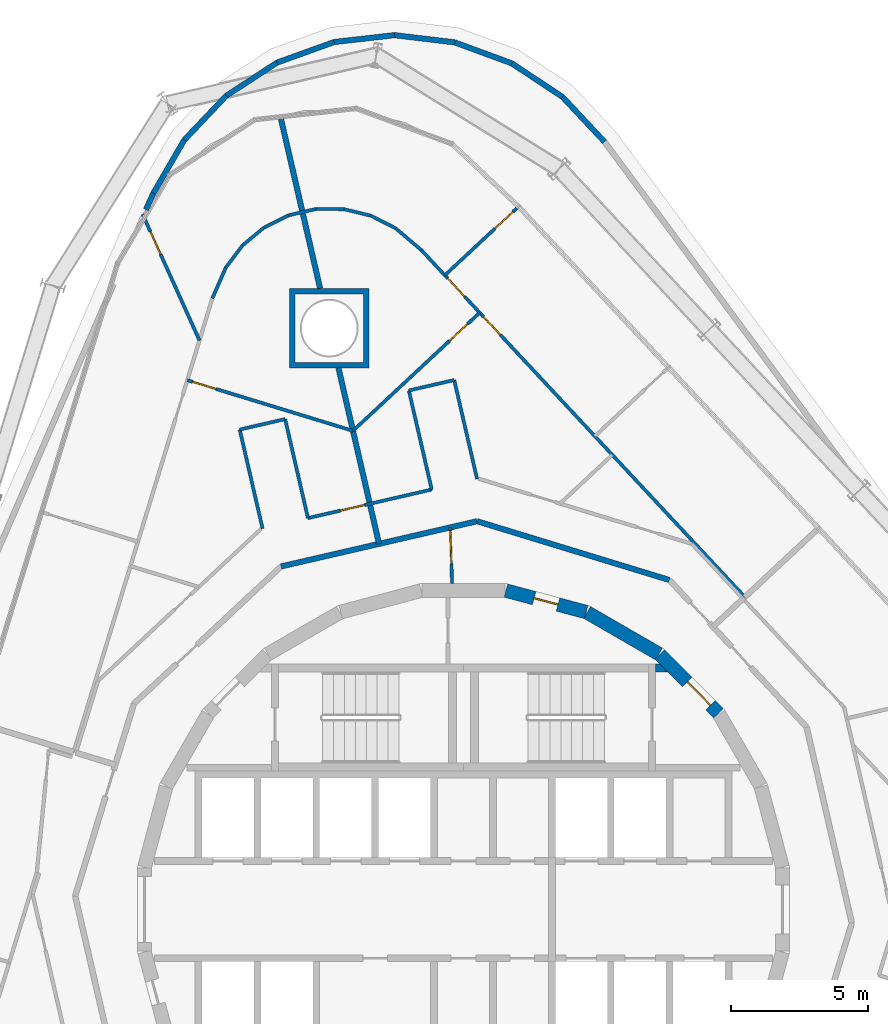
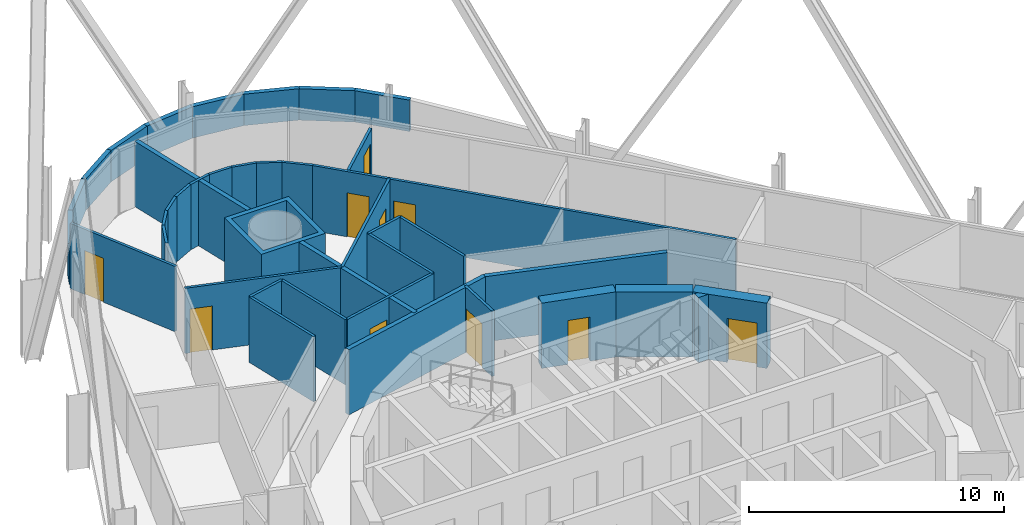
# One storey, part 16 of 18: 41 walls, 10 doors, 10 openings.
"""IFC4 building model written with IfcOpenShell, lengths in metres."""

from ifc_helpers import new_model, si_unit, direction, frame, frame_2d, origin, place, context, subcontext, project, spatial, polyline, rectangle, outline, extrude, material, layer, layer_set, type_object, element, fill, save


model = new_model("IFC4")

# Units and contexts
model_context = context("Model", 3, precision=1e-05, world=origin(), true_north=direction((0.0, 1.0)))
body_context = subcontext(model_context, "Body", "Model", "MODEL_VIEW")
ifc_project = project(units=[si_unit("LENGTHUNIT", "METRE"), si_unit("AREAUNIT", "SQUARE_METRE"), si_unit("VOLUMEUNIT", "CUBIC_METRE"), si_unit("PLANEANGLEUNIT", "RADIAN"), si_unit("MASSUNIT", "GRAM", prefix="KILO")], contexts=[model_context])

# Site, building, storey
site_placement = place(None, origin())
site = spatial("IfcSite", under=ifc_project, at=site_placement, CompositionType="ELEMENT")
building_placement = place(site_placement, origin())
building = spatial("IfcBuilding", under=site, at=building_placement, Name="Spindle Arch Residences", CompositionType="ELEMENT")
storey_placement = place(building_placement, frame((0.0, 0.0, 113.39990234375)))
storey = spatial("IfcBuildingStorey", under=building, at=storey_placement, Name="L27", CompositionType="ELEMENT", Elevation=113.39990234375)

# Wall, opening, door
ifc_material_1 = material(Name="Concrete C50/60", Category="concrete")
ifc_layer_1 = layer(ifc_material_1, 0.5)
ifc_layer_set_1 = layer_set([ifc_layer_1], Name="Core outline wall 500")
wall_type_1 = type_object("IfcWallType", Name="Core outline wall 500", PredefinedType="SHEAR", material=ifc_layer_set_1)
wall_1_placement = place(storey_placement, frame((9.30810546875, 7.163818359375, 0.0), z_axis=(0.0, 0.0, 1.0), x_axis=(-0.707106781187, 0.707106781187, 0.0)))
wall_1 = element("IfcWall", 1, at=wall_1_placement, inside=storey, type_object=wall_type_1, Name="Core outline wall 9", PredefinedType="SHEAR", context=body_context, shape_type="SweptSolid", body=[
    extrude(rectangle(XDim=3.032470703125, YDim=0.5, at=frame_2d((1.51611328125, 0.0))), origin(), (0.0, 0.0, 1.0), 3.1201171875),
])
opening_1_placement = place(wall_1_placement, frame((0.416259765625, 0.0, 0.0)))
opening_1 = element("IfcOpeningElement", 2, at=opening_1_placement, cuts=wall_1, Name="Opening R3A0-AD01", PredefinedType="OPENING", context=body_context, shape_type="SweptSolid", body=[
    extrude(rectangle(XDim=1.199951171875, YDim=2.10009765625, at=frame_2d((0.60009765625, 1.050048828125))), frame((0.0, 0.260009765625, 0.0), z_axis=(0.0, -1.0, 0.0), x_axis=(1.0, 0.0, 0.0)), (0.0, 0.0, 1.0), 0.52001953125),
])
ifc_material_2 = material(Name="Steel, fire-resisting door", Category="steel")
door_type_1 = type_object("IfcDoorType", Name="Stair airlock door 1200x2100", OperationType="SINGLE_SWING_LEFT", PredefinedType="DOOR", material=ifc_material_2)
door_1_placement = place(opening_1_placement, origin())
door_1 = element("IfcDoor", 3, at=door_1_placement, inside=storey, type_object=door_type_1, Name="Stair airlock door R3A0-AD01", OperationType="SINGLE_SWING_RIGHT", OverallHeight=2.10009765625, OverallWidth=1.199951171875, PredefinedType="DOOR", context=body_context, shape_type="SweptSolid", body=[
    extrude(rectangle(XDim=1.199951171875, YDim=2.10009765625, at=frame_2d((0.60009765625, 1.050048828125))), frame((0.0, 0.02490234375, 0.0), z_axis=(0.0, -1.0, 0.0), x_axis=(1.0, 0.0, 0.0)), (0.0, 0.0, 1.0), 0.050048828125),
])
fill(opening_1, door_1)

# Wall
wall_2_placement = place(storey_placement, frame((7.13671875, 9.32861328125, 0.0), z_axis=(0.0, 0.0, 1.0), x_axis=(-0.865975092491, 0.500087131594, 0.0)))
element("IfcWall", 4, at=wall_2_placement, inside=storey, type_object=wall_type_1, Name="Core outline wall 10", PredefinedType="SHEAR", context=body_context, shape_type="SweptSolid", body=[
    extrude(rectangle(XDim=3.03271484375, YDim=0.5, at=frame_2d((1.516357421875, 0.0))), origin(), (0.0, 0.0, 1.0), 3.1201171875),
])

# Wall, opening, door
wall_3_placement = place(storey_placement, frame((4.479248046875, 10.858154296875, 0.0), z_axis=(0.0, 0.0, 1.0), x_axis=(-0.965948410781, 0.258734743916, 0.0)))
wall_3 = element("IfcWall", 5, at=wall_3_placement, inside=storey, type_object=wall_type_1, Name="Core outline wall 11", PredefinedType="SHEAR", context=body_context, shape_type="SweptSolid", body=[
    extrude(rectangle(XDim=3.03271484375, YDim=0.5, at=frame_2d((1.516357421875, 0.0))), origin(), (0.0, 0.0, 1.0), 3.1201171875),
])
opening_2_placement = place(wall_3_placement, frame((1.066162109375, 0.0, 0.0)))
opening_2 = element("IfcOpeningElement", 6, at=opening_2_placement, cuts=wall_3, Name="Opening R3A0-WD12", PredefinedType="OPENING", context=body_context, shape_type="SweptSolid", body=[
    extrude(rectangle(XDim=0.89990234375, YDim=2.10009765625, at=frame_2d((0.449951171875, 1.050048828125))), frame((0.0, 0.260009765625, 0.0), z_axis=(0.0, -1.0, 0.0), x_axis=(1.0, 0.0, 0.0)), (0.0, 0.0, 1.0), 0.52001953125),
])
ifc_material_3 = material(Name="Steel, fire-resisting door", Category="steel")
door_type_2 = type_object("IfcDoorType", Name="Service room door 900x2100", OperationType="SINGLE_SWING_LEFT", PredefinedType="DOOR", material=ifc_material_3)
door_2_placement = place(opening_2_placement, origin())
door_2 = element("IfcDoor", 7, at=door_2_placement, inside=storey, type_object=door_type_2, Name="Service room door R3A0-WD12", OperationType="SINGLE_SWING_LEFT", OverallHeight=2.10009765625, OverallWidth=0.89990234375, PredefinedType="DOOR", context=body_context, shape_type="SweptSolid", body=[
    extrude(rectangle(XDim=0.89990234375, YDim=2.10009765625, at=frame_2d((0.449951171875, 1.050048828125))), frame((0.0, 0.02490234375, 0.0), z_axis=(0.0, -1.0, 0.0), x_axis=(1.0, 0.0, 0.0)), (0.0, 0.0, 1.0), 0.050048828125),
])
fill(opening_2, door_2)

ifc_material_4 = material(Name="Plasterboard on steel studs", Category="steel")
ifc_layer_2 = layer(ifc_material_4, 0.1201171875)
ifc_layer_set_2 = layer_set([ifc_layer_2], Name="Corridor division wall 120")
wall_type_2 = type_object("IfcWallType", Name="Corridor division wall 120", PredefinedType="PARTITIONING", material=ifc_layer_set_2)
wall_4_placement = place(storey_placement, frame((-0.487060546875, 13.947998046875, 0.0), z_axis=(0.0, 0.0, 1.0), x_axis=(0.034859752231, -0.999392214135, 0.0)))
wall_4 = element("IfcWall", 8, at=wall_4_placement, inside=storey, type_object=wall_type_2, Name="Corridor division wall R3A0-W001", PredefinedType="PARTITIONING", context=body_context, shape_type="SweptSolid", body=[
    extrude(rectangle(XDim=2.052001953125, YDim=0.1201171875, at=frame_2d((1.02587890625, 0.0))), origin(), (0.0, 0.0, 1.0), 3.1201171875),
])
opening_3_placement = place(wall_4_placement, frame((0.125, 0.0, 0.0)))
opening_3 = element("IfcOpeningElement", 9, at=opening_3_placement, cuts=wall_4, Name="Opening R3A0-CD01", PredefinedType="OPENING", context=body_context, shape_type="SweptSolid", body=[
    extrude(rectangle(XDim=1.199951171875, YDim=2.10009765625, at=frame_2d((0.60009765625, 1.050048828125))), frame((0.0, 0.070068359375, 0.0), z_axis=(0.0, -1.0, 0.0), x_axis=(1.0, 0.0, 0.0)), (0.0, 0.0, 1.0), 0.14013671875),
])
ifc_material_5 = material(Name="Steel, fire-resisting door", Category="steel")
door_type_3 = type_object("IfcDoorType", Name="Corridor division door 1200x2100", OperationType="NOTDEFINED", PredefinedType="DOOR", material=ifc_material_5)
door_3_placement = place(opening_3_placement, origin())
door_3 = element("IfcDoor", 10, at=door_3_placement, inside=storey, type_object=door_type_3, Name="Corridor division door R3A0-CD01", OperationType="DOUBLE_DOOR_SINGLE_SWING", OverallHeight=2.10009765625, OverallWidth=1.199951171875, PredefinedType="DOOR", context=body_context, shape_type="SweptSolid", body=[
    extrude(rectangle(XDim=1.199951171875, YDim=2.10009765625, at=frame_2d((0.60009765625, 1.050048828125))), frame((0.0, 0.02490234375, 0.0), z_axis=(0.0, -1.0, 0.0), x_axis=(1.0, 0.0, 0.0)), (0.0, 0.0, 1.0), 0.050048828125),
])
fill(opening_3, door_3)

# Walls
ifc_material_6 = material(Name="Calcium silicate block, plastered")
ifc_layer_3 = layer(ifc_material_6, 0.199951171875)
ifc_layer_set_3 = layer_set([ifc_layer_3], Name="Corridor wall 200")
wall_type_3 = type_object("IfcWallType", Name="Corridor wall 200", PredefinedType="STANDARD", material=ifc_layer_set_3)
wall_5_placement = place(storey_placement, frame((7.51611328125, 12.028076171875, 0.0), z_axis=(0.0, 0.0, 1.0), x_axis=(-0.956306642771, 0.292365533182, 0.0)))
element("IfcWall", 11, at=wall_5_placement, inside=storey, type_object=wall_type_3, Name="Corridor wall R3A0-W007", PredefinedType="STANDARD", context=body_context, shape_type="SweptSolid", body=[
    extrude(rectangle(XDim=7.341796875, YDim=0.199951171875, at=frame_2d((3.6708984375, 0.0))), origin(), (0.0, 0.0, 1.0), 3.1201171875),
])
wall_6_placement = place(storey_placement, frame((0.4951171875, 14.174560546875, 0.0), z_axis=(0.0, 0.0, 1.0), x_axis=(-0.974376622151, -0.224922649383, 0.0)))
element("IfcWall", 12, at=wall_6_placement, inside=storey, type_object=wall_type_3, Name="Corridor wall R3A0-W008", PredefinedType="STANDARD", context=body_context, shape_type="SweptSolid", body=[
    extrude(rectangle(XDim=7.342041015625, YDim=0.199951171875, at=frame_2d((3.6708984375, 0.0))), origin(), (0.0, 0.0, 1.0), 3.1201171875),
])
ifc_material_7 = material(Name="Plasterboard on steel studs", Category="steel")
ifc_layer_4 = layer(ifc_material_7, 0.1201171875)
ifc_layer_set_4 = layer_set([ifc_layer_4], Name="Flat partition 120")
wall_type_4 = type_object("IfcWallType", Name="Flat partition 120", PredefinedType="PARTITIONING", material=ifc_layer_set_4)
wall_7_placement = place(storey_placement, frame((0.495849609375, 15.71435546875, 0.0), z_axis=(0.0, 0.0, 1.0), x_axis=(-0.224960478174, 0.974367889075, 0.0)))
element("IfcWall", 13, at=wall_7_placement, inside=storey, type_object=wall_type_4, Name="Flat partition R3A0-W045", PredefinedType="PARTITIONING", context=body_context, shape_type="SweptSolid", body=[
    extrude(rectangle(XDim=3.708251953125, YDim=0.1201171875, at=frame_2d((1.85400390625, 0.0))), origin(), (0.0, 0.0, 1.0), 3.1201171875),
])
wall_8_placement = place(storey_placement, frame((-0.33837890625, 19.32763671875, 0.0), z_axis=(0.0, 0.0, 1.0), x_axis=(-0.974383934081, -0.224890971374, 0.0)))
element("IfcWall", 14, at=wall_8_placement, inside=storey, type_object=wall_type_4, Name="Flat partition R3A0-W046", PredefinedType="PARTITIONING", context=body_context, shape_type="SweptSolid", body=[
    extrude(rectangle(XDim=1.699951171875, YDim=0.1201171875, at=frame_2d((0.85009765625, 0.0))), origin(), (0.0, 0.0, 1.0), 3.1201171875),
])
wall_9_placement = place(storey_placement, frame((-1.994873046875, 18.9453125, 0.0), z_axis=(0.0, 0.0, 1.0), x_axis=(0.224946048274, -0.974371220514, 0.0)))
element("IfcWall", 15, at=wall_9_placement, inside=storey, type_object=wall_type_4, Name="Flat partition R3A0-W047", PredefinedType="PARTITIONING", context=body_context, shape_type="SweptSolid", body=[
    extrude(rectangle(XDim=3.70849609375, YDim=0.1201171875, at=frame_2d((1.854248046875, 0.0))), origin(), (0.0, 0.0, 1.0), 3.1201171875),
])

# Wall, opening, door
wall_10_placement = place(storey_placement, frame((-1.16064453125, 15.331787109375, 0.0), z_axis=(0.0, 0.0, 1.0), x_axis=(-0.974373440078, -0.224936433845, 0.0)))
wall_10 = element("IfcWall", 16, at=wall_10_placement, inside=storey, type_object=wall_type_4, Name="Flat partition R3A0-W048", PredefinedType="PARTITIONING", context=body_context, shape_type="SweptSolid", body=[
    extrude(rectangle(XDim=4.6357421875, YDim=0.1201171875, at=frame_2d((2.31787109375, 0.0))), origin(), (0.0, 0.0, 1.0), 3.1201171875),
])
opening_4_placement = place(wall_10_placement, frame((2.51806640625, 0.0, 0.0)))
opening_4 = element("IfcOpeningElement", 17, at=opening_4_placement, cuts=wall_10, Name="Opening R3A0-ID12", PredefinedType="OPENING", context=body_context, shape_type="SweptSolid", body=[
    extrude(rectangle(XDim=0.89990234375, YDim=2.10009765625, at=frame_2d((0.449951171875, 1.050048828125))), frame((0.0, 0.070068359375, 0.0), z_axis=(0.0, -1.0, 0.0), x_axis=(1.0, 0.0, 0.0)), (0.0, 0.0, 1.0), 0.14013671875),
])
ifc_material_8 = material(Name="Timber door set", Category="wood")
door_type_4 = type_object("IfcDoorType", Name="Room door 900x2100", OperationType="NOTDEFINED", PredefinedType="DOOR", material=ifc_material_8)
door_4_placement = place(opening_4_placement, origin())
door_4 = element("IfcDoor", 18, at=door_4_placement, inside=storey, type_object=door_type_4, Name="Room door R3A0-ID12", OperationType="SINGLE_SWING_LEFT", OverallHeight=2.10009765625, OverallWidth=0.89990234375, PredefinedType="DOOR", context=body_context, shape_type="SweptSolid", body=[
    extrude(rectangle(XDim=0.89990234375, YDim=2.10009765625, at=frame_2d((0.449951171875, 1.050048828125))), frame((0.0, 0.02490234375, 0.0), z_axis=(0.0, -1.0, 0.0), x_axis=(1.0, 0.0, 0.0)), (0.0, 0.0, 1.0), 0.050048828125),
])
fill(opening_4, door_4)

# Wall, openings, doors
wall_11_placement = place(storey_placement, frame((-1.538818359375, 24.07080078125, 0.0), z_axis=(0.0, 0.0, 1.0), x_axis=(0.68200220595, -0.731350115252, 0.0)))
wall_11 = element("IfcWall", 19, at=wall_11_placement, inside=storey, type_object=wall_type_4, Name="Flat partition R3A0-W049", PredefinedType="PARTITIONING", context=body_context, shape_type="SweptSolid", body=[
    extrude(rectangle(XDim=17.315673828125, YDim=0.1201171875, at=frame_2d((8.65771484375, 0.0))), origin(), (0.0, 0.0, 1.0), 3.1201171875),
])
opening_5_placement = place(wall_11_placement, frame((3.322998046875, 0.0, 0.0)))
opening_5 = element("IfcOpeningElement", 20, at=opening_5_placement, cuts=wall_11, Name="Opening R3A0-ID07", PredefinedType="OPENING", context=body_context, shape_type="SweptSolid", body=[
    extrude(rectangle(XDim=0.89990234375, YDim=2.10009765625, at=frame_2d((0.449951171875, 1.050048828125))), frame((0.0, 0.070068359375, 0.0), z_axis=(0.0, -1.0, 0.0), x_axis=(1.0, 0.0, 0.0)), (0.0, 0.0, 1.0), 0.14013671875),
])
opening_6_placement = place(wall_11_placement, frame((1.417236328125, 0.0, 0.0)))
opening_6 = element("IfcOpeningElement", 21, at=opening_6_placement, cuts=wall_11, Name="Opening R3A0-ID11", PredefinedType="OPENING", context=body_context, shape_type="SweptSolid", body=[
    extrude(rectangle(XDim=0.89990234375, YDim=2.10009765625, at=frame_2d((0.449951171875, 1.050048828125))), frame((0.0, 0.070068359375, 0.0), z_axis=(0.0, -1.0, 0.0), x_axis=(1.0, 0.0, 0.0)), (0.0, 0.0, 1.0), 0.14013671875),
])
door_5_placement = place(opening_5_placement, origin())
door_5 = element("IfcDoor", 22, at=door_5_placement, inside=storey, type_object=door_type_4, Name="Room door R3A0-ID07", OperationType="SINGLE_SWING_RIGHT", OverallHeight=2.10009765625, OverallWidth=0.89990234375, PredefinedType="DOOR", context=body_context, shape_type="SweptSolid", body=[
    extrude(rectangle(XDim=0.89990234375, YDim=2.10009765625, at=frame_2d((0.449951171875, 1.050048828125))), frame((0.0, 0.02490234375, 0.0), z_axis=(0.0, -1.0, 0.0), x_axis=(1.0, 0.0, 0.0)), (0.0, 0.0, 1.0), 0.050048828125),
])
fill(opening_5, door_5)
door_6_placement = place(opening_6_placement, origin())
door_6 = element("IfcDoor", 23, at=door_6_placement, inside=storey, type_object=door_type_4, Name="Room door R3A0-ID11", OperationType="SINGLE_SWING_LEFT", OverallHeight=2.10009765625, OverallWidth=0.89990234375, PredefinedType="DOOR", context=body_context, shape_type="SweptSolid", body=[
    extrude(rectangle(XDim=0.89990234375, YDim=2.10009765625, at=frame_2d((0.449951171875, 1.050048828125))), frame((0.0, 0.02490234375, 0.0), z_axis=(0.0, -1.0, 0.0), x_axis=(1.0, 0.0, 0.0)), (0.0, 0.0, 1.0), 0.050048828125),
])
fill(opening_6, door_6)

# Wall, opening, door
wall_12_placement = place(storey_placement, frame((0.591064453125, 21.786865234375, 0.0), z_axis=(0.0, 0.0, 1.0), x_axis=(-0.731363296574, -0.681988070588, 0.0)))
wall_12 = element("IfcWall", 24, at=wall_12_placement, inside=storey, type_object=wall_type_4, Name="Flat partition R3A0-W053", PredefinedType="PARTITIONING", context=body_context, shape_type="SweptSolid", body=[
    extrude(rectangle(XDim=6.32421875, YDim=0.1201171875, at=frame_2d((3.162109375, 0.0))), origin(), (0.0, 0.0, 1.0), 3.1201171875),
])
opening_7_placement = place(wall_12_placement, frame((0.60009765625, 0.0, 0.0)))
opening_7 = element("IfcOpeningElement", 25, at=opening_7_placement, cuts=wall_12, Name="Opening R3A0-ID08", PredefinedType="OPENING", context=body_context, shape_type="SweptSolid", body=[
    extrude(rectangle(XDim=0.89990234375, YDim=2.10009765625, at=frame_2d((0.449951171875, 1.050048828125))), frame((0.0, 0.070068359375, 0.0), z_axis=(0.0, -1.0, 0.0), x_axis=(1.0, 0.0, 0.0)), (0.0, 0.0, 1.0), 0.14013671875),
])
door_7_placement = place(opening_7_placement, origin())
door_7 = element("IfcDoor", 26, at=door_7_placement, inside=storey, type_object=door_type_4, Name="Room door R3A0-ID08", OperationType="SINGLE_SWING_RIGHT", OverallHeight=2.10009765625, OverallWidth=0.89990234375, PredefinedType="DOOR", context=body_context, shape_type="SweptSolid", body=[
    extrude(rectangle(XDim=0.89990234375, YDim=2.10009765625, at=frame_2d((0.449951171875, 1.050048828125))), frame((0.0, 0.02490234375, 0.0), z_axis=(0.0, -1.0, 0.0), x_axis=(1.0, 0.0, 0.0)), (0.0, 0.0, 1.0), 0.050048828125),
])
fill(opening_7, door_7)

# Walls
for number, where, z_axis, x_axis, name in (
    (27, (-6.372314453125, 25.34375, 0.0), (0.0, 0.0, 1.0), (0.974366885246, 0.224964825997, 0.0), "Flat partition R3A0-W054"),
    (28, (-5.382568359375, 25.572265625, 0.0), (0.0, 0.0, 1.0), (0.999983366401, -0.005767748328, 0.0), "Flat partition R3A0-W055"),
):
    element("IfcWall", number, at=place(storey_placement, frame(where, z_axis=z_axis, x_axis=x_axis)), inside=storey, type_object=wall_type_4, Name=name, PredefinedType="PARTITIONING", context=body_context, shape_type="SweptSolid", body=[
        extrude(rectangle(XDim=1.015869140625, YDim=0.1201171875, at=frame_2d((0.5078125, 0.0))), origin(), (0.0, 0.0, 1.0), 3.1201171875),
    ])
wall_13_placement = place(storey_placement, frame((-4.36669921875, 25.56640625, 0.0), z_axis=(0.0, 0.0, 1.0), x_axis=(0.971704876381, -0.236198292157, 0.0)))
element("IfcWall", 29, at=wall_13_placement, inside=storey, type_object=wall_type_4, Name="Flat partition R3A0-W056", PredefinedType="PARTITIONING", context=body_context, shape_type="SweptSolid", body=[
    extrude(rectangle(XDim=1.01611328125, YDim=0.1201171875, at=frame_2d((0.508056640625, 0.0))), origin(), (0.0, 0.0, 1.0), 3.1201171875),
])
wall_14_placement = place(storey_placement, frame((-3.37939453125, 25.326416015625, 0.0), z_axis=(0.0, 0.0, 1.0), x_axis=(0.890890892221, -0.454217368842, 0.0)))
element("IfcWall", 30, at=wall_14_placement, inside=storey, type_object=wall_type_4, Name="Flat partition R3A0-W057", PredefinedType="PARTITIONING", context=body_context, shape_type="SweptSolid", body=[
    extrude(rectangle(XDim=1.015869140625, YDim=0.1201171875, at=frame_2d((0.5078125, 0.0))), origin(), (0.0, 0.0, 1.0), 3.1201171875),
])
wall_15_placement = place(storey_placement, frame((-2.474365234375, 24.864990234375, 0.0), z_axis=(0.0, 0.0, 1.0), x_axis=(0.762351487461, -0.647163201647, 0.0)))
element("IfcWall", 31, at=wall_15_placement, inside=storey, type_object=wall_type_4, Name="Flat partition R3A0-W058", PredefinedType="PARTITIONING", context=body_context, shape_type="SweptSolid", body=[
    extrude(rectangle(XDim=1.227294921875, YDim=0.1201171875, at=frame_2d((0.61376953125, 0.0))), origin(), (0.0, 0.0, 1.0), 3.1201171875),
])
wall_16_placement = place(storey_placement, frame((-5.677490234375, 14.2890625, 0.0), z_axis=(0.0, 0.0, 1.0), x_axis=(-0.224960478174, 0.974367889075, 0.0)))
element("IfcWall", 32, at=wall_16_placement, inside=storey, type_object=wall_type_4, Name="Flat partition R3A0-W059", PredefinedType="PARTITIONING", context=body_context, shape_type="SweptSolid", body=[
    extrude(rectangle(XDim=3.708251953125, YDim=0.1201171875, at=frame_2d((1.85400390625, 0.0))), origin(), (0.0, 0.0, 1.0), 3.1201171875),
])
wall_17_placement = place(storey_placement, frame((-6.51171875, 17.90234375, 0.0), z_axis=(0.0, 0.0, 1.0), x_axis=(-0.974376669418, -0.224922444621, 0.0)))
element("IfcWall", 33, at=wall_17_placement, inside=storey, type_object=wall_type_4, Name="Flat partition R3A0-W060", PredefinedType="PARTITIONING", context=body_context, shape_type="SweptSolid", body=[
    extrude(rectangle(XDim=1.69970703125, YDim=0.1201171875, at=frame_2d((0.849853515625, 0.0))), origin(), (0.0, 0.0, 1.0), 3.1201171875),
])
wall_18_placement = place(storey_placement, frame((-8.16796875, 17.52001953125, 0.0), z_axis=(0.0, 0.0, 1.0), x_axis=(0.224960478174, -0.974367889075, 0.0)))
element("IfcWall", 34, at=wall_18_placement, inside=storey, type_object=wall_type_4, Name="Flat partition R3A0-W061", PredefinedType="PARTITIONING", context=body_context, shape_type="SweptSolid", body=[
    extrude(rectangle(XDim=3.708251953125, YDim=0.1201171875, at=frame_2d((1.85400390625, 0.0))), origin(), (0.0, 0.0, 1.0), 3.1201171875),
])
wall_19_placement = place(storey_placement, frame((-6.372314453125, 25.34375, 0.0), z_axis=(0.0, 0.0, 1.0), x_axis=(-0.896341374877, -0.443364567466, 0.0)))
element("IfcWall", 35, at=wall_19_placement, inside=storey, type_object=wall_type_4, Name="Flat partition R3A0-W064", PredefinedType="PARTITIONING", context=body_context, shape_type="SweptSolid", body=[
    extrude(rectangle(XDim=1.015869140625, YDim=0.1201171875, at=frame_2d((0.5078125, 0.0))), origin(), (0.0, 0.0, 1.0), 3.1201171875),
])
wall_20_placement = place(storey_placement, frame((-7.282958984375, 24.893310546875, 0.0), z_axis=(0.0, 0.0, 1.0), x_axis=(-0.769657158348, -0.638457405473, 0.0)))
element("IfcWall", 36, at=wall_20_placement, inside=storey, type_object=wall_type_4, Name="Flat partition R3A0-W065", PredefinedType="PARTITIONING", context=body_context, shape_type="SweptSolid", body=[
    extrude(rectangle(XDim=1.01611328125, YDim=0.1201171875, at=frame_2d((0.508056640625, 0.0))), origin(), (0.0, 0.0, 1.0), 3.1201171875),
])
wall_21_placement = place(storey_placement, frame((-8.06494140625, 24.24462890625, 0.0), z_axis=(0.0, 0.0, 1.0), x_axis=(-0.601959070304, -0.798526942363, 0.0)))
element("IfcWall", 37, at=wall_21_placement, inside=storey, type_object=wall_type_4, Name="Flat partition R3A0-W066", PredefinedType="PARTITIONING", context=body_context, shape_type="SweptSolid", body=[
    extrude(rectangle(XDim=1.015869140625, YDim=0.1201171875, at=frame_2d((0.5078125, 0.0))), origin(), (0.0, 0.0, 1.0), 3.1201171875),
])
wall_22_placement = place(storey_placement, frame((-8.676513671875, 23.433349609375, 0.0), z_axis=(0.0, 0.0, 1.0), x_axis=(-0.401351130635, -0.915924270853, 0.0)))
element("IfcWall", 38, at=wall_22_placement, inside=storey, type_object=wall_type_4, Name="Flat partition R3A0-W067", PredefinedType="PARTITIONING", context=body_context, shape_type="SweptSolid", body=[
    extrude(rectangle(XDim=1.22705078125, YDim=0.1201171875, at=frame_2d((0.613525390625, 0.0))), origin(), (0.0, 0.0, 1.0), 3.1201171875),
])

# Wall, opening, door
wall_23_placement = place(storey_placement, frame((-10.08203125, 19.322998046875, 0.0), z_axis=(0.0, 0.0, 1.0), x_axis=(0.956300011431, -0.292387222936, 0.0)))
wall_23 = element("IfcWall", 39, at=wall_23_placement, inside=storey, type_object=wall_type_4, Name="Flat partition R3A0-W069", PredefinedType="PARTITIONING", context=body_context, shape_type="SweptSolid", body=[
    extrude(rectangle(XDim=6.32421875, YDim=0.1201171875, at=frame_2d((3.162109375, 0.0))), origin(), (0.0, 0.0, 1.0), 3.1201171875),
])
opening_8_placement = place(wall_23_placement, frame((0.199951171875, 0.0, 0.0)))
opening_8 = element("IfcOpeningElement", 40, at=opening_8_placement, cuts=wall_23, Name="Opening R3A0-ID13", PredefinedType="OPENING", context=body_context, shape_type="SweptSolid", body=[
    extrude(rectangle(XDim=0.89990234375, YDim=2.10009765625, at=frame_2d((0.449951171875, 1.050048828125))), frame((0.0, 0.070068359375, 0.0), z_axis=(0.0, -1.0, 0.0), x_axis=(1.0, 0.0, 0.0)), (0.0, 0.0, 1.0), 0.14013671875),
])
door_8_placement = place(opening_8_placement, origin())
door_8 = element("IfcDoor", 41, at=door_8_placement, inside=storey, type_object=door_type_4, Name="Room door R3A0-ID13", OperationType="SINGLE_SWING_LEFT", OverallHeight=2.10009765625, OverallWidth=0.89990234375, PredefinedType="DOOR", context=body_context, shape_type="SweptSolid", body=[
    extrude(rectangle(XDim=0.89990234375, YDim=2.10009765625, at=frame_2d((0.449951171875, 1.050048828125))), frame((0.0, 0.02490234375, 0.0), z_axis=(0.0, -1.0, 0.0), x_axis=(1.0, 0.0, 0.0)), (0.0, 0.0, 1.0), 0.050048828125),
])
fill(opening_8, door_8)

wall_24_placement = place(storey_placement, frame((-11.716796875, 25.380615234375, 0.0), z_axis=(0.0, 0.0, 1.0), x_axis=(0.411493504767, -0.911412692217, 0.0)))
wall_24 = element("IfcWall", 42, at=wall_24_placement, inside=storey, type_object=wall_type_4, Name="Flat partition R3A0-W070", PredefinedType="PARTITIONING", context=body_context, shape_type="SweptSolid", body=[
    extrude(rectangle(XDim=5.052490234375, YDim=0.1201171875, at=frame_2d((2.5263671875, 0.0))), origin(), (0.0, 0.0, 1.0), 3.1201171875),
])
opening_9_placement = place(wall_24_placement, frame((0.699951171875, 0.0, 0.0)))
opening_9 = element("IfcOpeningElement", 43, at=opening_9_placement, cuts=wall_24, Name="Opening R3A0-ID15", PredefinedType="OPENING", context=body_context, shape_type="SweptSolid", body=[
    extrude(rectangle(XDim=0.89990234375, YDim=2.10009765625, at=frame_2d((0.449951171875, 1.050048828125))), frame((0.0, 0.070068359375, 0.0), z_axis=(0.0, -1.0, 0.0), x_axis=(1.0, 0.0, 0.0)), (0.0, 0.0, 1.0), 0.14013671875),
])
door_9_placement = place(opening_9_placement, origin())
door_9 = element("IfcDoor", 44, at=door_9_placement, inside=storey, type_object=door_type_4, Name="Room door R3A0-ID15", OperationType="SINGLE_SWING_LEFT", OverallHeight=2.10009765625, OverallWidth=0.89990234375, PredefinedType="DOOR", context=body_context, shape_type="SweptSolid", body=[
    extrude(rectangle(XDim=0.89990234375, YDim=2.10009765625, at=frame_2d((0.449951171875, 1.050048828125))), frame((0.0, 0.02490234375, 0.0), z_axis=(0.0, -1.0, 0.0), x_axis=(1.0, 0.0, 0.0)), (0.0, 0.0, 1.0), 0.050048828125),
])
fill(opening_9, door_9)

ifc_material_9 = material(Name="Plasterboard on steel studs", Category="steel")
ifc_layer_5 = layer(ifc_material_9, 0.1201171875)
ifc_layer_set_5 = layer_set([ifc_layer_5], Name="Flat partition 120 under beam 2730")
wall_type_5 = type_object("IfcWallType", Name="Flat partition 120 under beam 2730", PredefinedType="PARTITIONING", material=ifc_layer_set_5)
wall_25_placement = place(storey_placement, frame((1.951416015625, 25.606689453125, 0.0), z_axis=(0.0, 0.0, 1.0), x_axis=(-0.731328084739, -0.682025829769, 0.0)))
wall_25 = element("IfcWall", 45, at=wall_25_placement, inside=storey, type_object=wall_type_5, Name="Flat partition R3A0-W052", PredefinedType="PARTITIONING", context=body_context, shape_type="SweptSolid", body=[
    extrude(rectangle(XDim=3.60009765625, YDim=0.1201171875, at=frame_2d((1.800048828125, 0.0))), origin(), (0.0, 0.0, 1.0), 2.72998046875),
])
opening_10_placement = place(wall_25_placement, frame((0.199951171875, 0.0, 0.0)))
opening_10 = element("IfcOpeningElement", 46, at=opening_10_placement, cuts=wall_25, Name="Opening R3A0-ID10", PredefinedType="OPENING", context=body_context, shape_type="SweptSolid", body=[
    extrude(rectangle(XDim=0.89990234375, YDim=2.10009765625, at=frame_2d((0.449951171875, 1.050048828125))), frame((0.0, 0.070068359375, 0.0), z_axis=(0.0, -1.0, 0.0), x_axis=(1.0, 0.0, 0.0)), (0.0, 0.0, 1.0), 0.14013671875),
])
door_10_placement = place(opening_10_placement, origin())
door_10 = element("IfcDoor", 47, at=door_10_placement, inside=storey, type_object=door_type_4, Name="Room door R3A0-ID10", OperationType="SINGLE_SWING_RIGHT", OverallHeight=2.10009765625, OverallWidth=0.89990234375, PredefinedType="DOOR", context=body_context, shape_type="SweptSolid", body=[
    extrude(rectangle(XDim=0.89990234375, YDim=2.10009765625, at=frame_2d((0.449951171875, 1.050048828125))), frame((0.0, 0.02490234375, 0.0), z_axis=(0.0, -1.0, 0.0), x_axis=(1.0, 0.0, 0.0)), (0.0, 0.0, 1.0), 0.050048828125),
])
fill(opening_10, door_10)

# Walls
ifc_material_10 = material(Name="Calcium silicate block, plastered")
ifc_layer_6 = layer(ifc_material_10, 0.199951171875)
ifc_layer_set_6 = layer_set([ifc_layer_6], Name="Flat party wall 200")
wall_type_6 = type_object("IfcWallType", Name="Flat party wall 200", PredefinedType="STANDARD", material=ifc_layer_set_6)
wall_26_placement = place(storey_placement, frame((-4.56494140625, 19.7734375, 0.0), z_axis=(0.0, 0.0, 1.0), x_axis=(0.224940633072, -0.974372470667, 0.0)))
element("IfcWall", 48, at=wall_26_placement, inside=storey, type_object=wall_type_6, Name="Flat party wall R3A0-W021", PredefinedType="STANDARD", context=body_context, shape_type="SweptSolid", body=[
    extrude(rectangle(XDim=6.593505859375, YDim=0.199951171875, at=frame_2d((3.296875, 0.0))), origin(), (0.0, 0.0, 1.0), 3.1201171875),
])
wall_27_placement = place(storey_placement, frame((-6.687255859375, 28.9658203125, 0.0), z_axis=(0.0, 0.0, 1.0), x_axis=(0.224945100086, -0.974371439415, 0.0)))
element("IfcWall", 49, at=wall_27_placement, inside=storey, type_object=wall_type_6, Name="Flat party wall R3A0-W022", PredefinedType="STANDARD", context=body_context, shape_type="SweptSolid", body=[
    extrude(rectangle(XDim=6.457763671875, YDim=0.199951171875, at=frame_2d((3.22900390625, 0.0))), origin(), (0.0, 0.0, 1.0), 3.1201171875),
])
ifc_material_11 = material(Name="Calcium silicate block, plastered")
ifc_layer_7 = layer(ifc_material_11, 0.199951171875)
ifc_layer_set_7 = layer_set([ifc_layer_7], Name="Mega-column casing wall 200")
wall_type_7 = type_object("IfcWallType", Name="Mega-column casing wall 200", PredefinedType="STANDARD", material=ifc_layer_set_7)
wall_28_placement = place(storey_placement, origin())
element("IfcWall", 50, at=wall_28_placement, inside=storey, type_object=wall_type_7, Name="Mega-column casing wall R3A0-WC01", PredefinedType="STANDARD", context=body_context, shape_type="SweptSolid", body=[
    extrude(outline(polyline([(-3.44970703125, 22.673583984375), (-3.44970703125, 19.7734375), (-6.349853515625, 19.7734375), (-6.349853515625, 22.673583984375), (-3.44970703125, 22.673583984375)]), holes=[polyline([(-6.14990234375, 19.973388671875), (-3.64990234375, 19.973388671875), (-3.64990234375, 22.473388671875), (-6.14990234375, 22.473388671875), (-6.14990234375, 19.973388671875)])]), origin(), (0.0, 0.0, 1.0), 3.1201171875),
])
ifc_material_12 = material(Name="Concrete C40/50", Category="concrete")
ifc_layer_8 = layer(ifc_material_12, 0.199951171875)
ifc_layer_set_8 = layer_set([ifc_layer_8], Name="Roof parapet 1500")
wall_type_8 = type_object("IfcWallType", Name="Roof parapet 1500", PredefinedType="PARAPET", material=ifc_layer_set_8)
wall_29_placement = place(storey_placement, frame((-11.592529296875, 25.545166015625, 0.030029296875), z_axis=(0.0, 0.0, 1.0), x_axis=(0.412088088401, 0.911144010241, 0.0)))
element("IfcWall", 51, at=wall_29_placement, inside=storey, type_object=wall_type_8, Name="Roof parapet L26 3.1", PredefinedType="PARAPET", context=body_context, shape_type="SweptSolid", body=[
    extrude(rectangle(XDim=0.665283203125, YDim=0.199951171875, at=frame_2d((0.33251953125, 0.0))), origin(), (0.0, 0.0, 1.0), 1.5),
])
wall_30_placement = place(storey_placement, frame((-11.32080078125, 26.146728515625, 0.030029296875), z_axis=(0.0, 0.0, 1.0), x_axis=(0.502532095663, 0.864558553731, 0.0)))
element("IfcWall", 52, at=wall_30_placement, inside=storey, type_object=wall_type_8, Name="Roof parapet L26 3.2", PredefinedType="PARAPET", context=body_context, shape_type="SweptSolid", body=[
    extrude(rectangle(XDim=2.257080078125, YDim=0.199951171875, at=frame_2d((1.12841796875, 0.0))), origin(), (0.0, 0.0, 1.0), 1.5),
])
for number, where, z_axis, x_axis, name in (
    (53, (-10.193603515625, 28.0888671875, 0.030029296875), (0.0, 0.0, 1.0), (0.688403840122, 0.725327617636, 0.0), "Roof parapet L26 3.3"),
    (54, (-8.668701171875, 29.69775390625, 0.030029296875), (0.0, 0.0, 1.0), (0.837089265731, 0.547066322486, 0.0), "Roof parapet L26 3.4"),
):
    element("IfcWall", number, at=place(storey_placement, frame(where, z_axis=z_axis, x_axis=x_axis)), inside=storey, type_object=wall_type_8, Name=name, PredefinedType="PARAPET", context=body_context, shape_type="SweptSolid", body=[
        extrude(rectangle(XDim=2.228271484375, YDim=0.199951171875, at=frame_2d((1.1142578125, 0.0))), origin(), (0.0, 0.0, 1.0), 1.5),
    ])
wall_31_placement = place(storey_placement, frame((-6.813720703125, 30.91162109375, 0.030029296875), z_axis=(0.0, 0.0, 1.0), x_axis=(0.940698692056, 0.339243232452, 0.0)))
element("IfcWall", 55, at=wall_31_placement, inside=storey, type_object=wall_type_8, Name="Roof parapet L26 3.5", PredefinedType="PARAPET", context=body_context, shape_type="SweptSolid", body=[
    extrude(rectangle(XDim=2.22802734375, YDim=0.199951171875, at=frame_2d((1.114013671875, 0.0))), origin(), (0.0, 0.0, 1.0), 1.5),
])
for number, where, z_axis, x_axis, name in (
    (56, (-4.72900390625, 31.664794921875, 0.030029296875), (0.0, 0.0, 1.0), (0.993561599463, 0.113293195175, 0.0), "Roof parapet L26 3.6"),
    (57, (-2.52685546875, 31.917236328125, 0.030029296875), (0.0, 0.0, 1.0), (0.992895490702, -0.11898968251, 0.0), "Roof parapet L26 3.7"),
):
    element("IfcWall", number, at=place(storey_placement, frame(where, z_axis=z_axis, x_axis=x_axis)), inside=storey, type_object=wall_type_8, Name=name, PredefinedType="PARAPET", context=body_context, shape_type="SweptSolid", body=[
        extrude(rectangle(XDim=2.228271484375, YDim=0.199951171875, at=frame_2d((1.1142578125, 0.0))), origin(), (0.0, 0.0, 1.0), 1.5),
    ])
for number, where, z_axis, x_axis, name in (
    (58, (-0.32568359375, 31.65478515625, 0.030029296875), (0.0, 0.0, 1.0), (0.938707390562, -0.344715005336, 0.0), "Roof parapet L26 3.8"),
    (59, (1.755615234375, 30.891845703125, 0.030029296875), (0.0, 0.0, 1.0), (0.833883256051, -0.55194086212, 0.0), "Roof parapet L26 3.9"),
):
    element("IfcWall", number, at=place(storey_placement, frame(where, z_axis=z_axis, x_axis=x_axis)), inside=storey, type_object=wall_type_8, Name=name, PredefinedType="PARAPET", context=body_context, shape_type="SweptSolid", body=[
        extrude(rectangle(XDim=2.22802734375, YDim=0.199951171875, at=frame_2d((1.114013671875, 0.0))), origin(), (0.0, 0.0, 1.0), 1.5),
    ])
wall_32_placement = place(storey_placement, frame((3.604736328125, 29.66943359375, 0.030029296875), z_axis=(0.0, 0.0, 1.0), x_axis=(0.684142558873, -0.729348311261, 0.0)))
element("IfcWall", 60, at=wall_32_placement, inside=storey, type_object=wall_type_8, Name="Roof parapet L26 3.10", PredefinedType="PARAPET", context=body_context, shape_type="SweptSolid", body=[
    extrude(rectangle(XDim=2.257568359375, YDim=0.199951171875, at=frame_2d((1.12890625, 0.0))), origin(), (0.0, 0.0, 1.0), 1.5),
])
ifc_material_13 = material(Name="Concrete C40/50", Category="concrete")
wall_type_9 = type_object("IfcWallType", Name="Stair airlock wall profile", PredefinedType="SHEAR", material=ifc_material_13)
wall_33_placement = place(storey_placement, origin())
element("IfcWall", 61, at=wall_33_placement, inside=storey, type_object=wall_type_9, Name="Stair ST-1 airlock wall N", PredefinedType="SHEAR", context=body_context, shape_type="SweptSolid", body=[
    extrude(outline(polyline([(7.4482421875, 8.669921875), (7.0, 8.669921875), (7.0, 8.969970703125), (7.148193359375, 8.969970703125), (7.4482421875, 8.669921875)])), origin(), (0.0, 0.0, 1.0), 3.1201171875),
])

save(model, "model.ifc")
